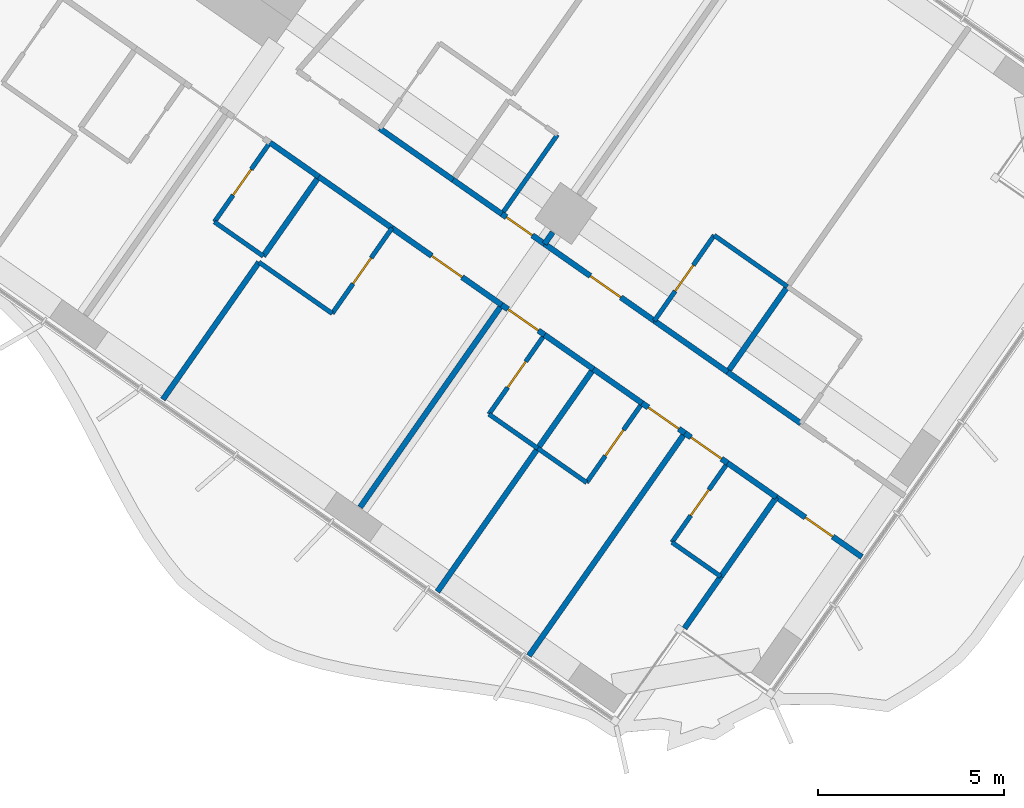
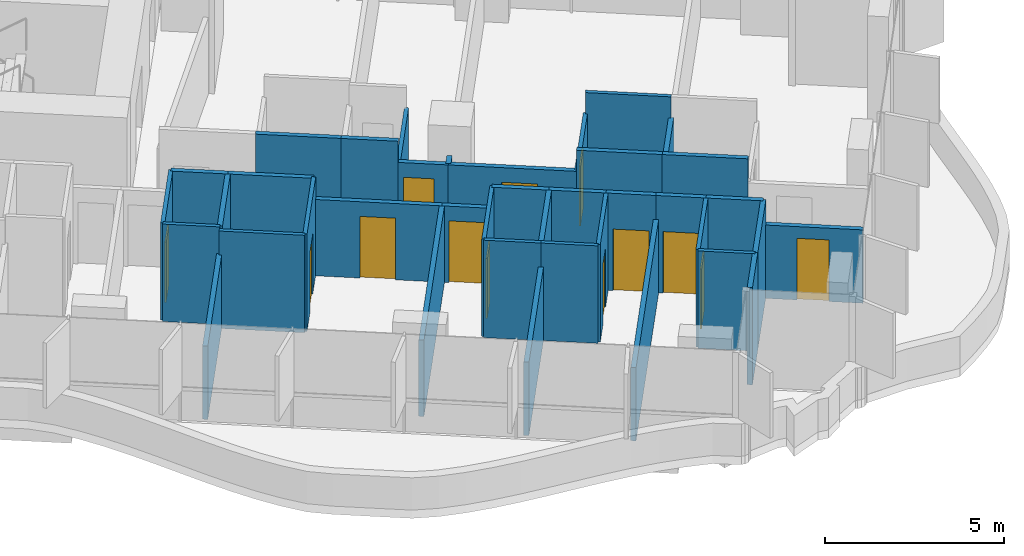
# One storey, part 17 of 25: 39 walls, 13 doors, 13 openings.
"""IFC4 building model written with IfcOpenShell, lengths in metres."""

from ifc_helpers import new_model, si_unit, direction, frame, frame_2d, origin, place, context, subcontext, project, spatial, rectangle, extrude, material, layer, layer_set, type_object, element, fill, save


model = new_model("IFC4")

# Units and contexts
model_context = context("Model", 3, precision=1e-05, world=origin(), true_north=direction((0.0, 1.0)))
body_context = subcontext(model_context, "Body", "Model", "MODEL_VIEW")
ifc_project = project(units=[si_unit("LENGTHUNIT", "METRE"), si_unit("AREAUNIT", "SQUARE_METRE"), si_unit("VOLUMEUNIT", "CUBIC_METRE"), si_unit("PLANEANGLEUNIT", "RADIAN"), si_unit("MASSUNIT", "GRAM", prefix="KILO")], contexts=[model_context])

# Site, building, storey
site_placement = place(None, origin())
site = spatial("IfcSite", under=ifc_project, at=site_placement, CompositionType="ELEMENT")
building_placement = place(site_placement, origin())
building = spatial("IfcBuilding", under=site, at=building_placement, Name="Tel Ilan Convention Tower", CompositionType="ELEMENT")
storey_placement = place(building_placement, frame((0.0, 0.0, 58.10009765625)))
storey = spatial("IfcBuildingStorey", under=building, at=storey_placement, Name="L09", CompositionType="ELEMENT", Elevation=58.10009765625)

# Wall
ifc_material_1 = material(Name="Plasterboard on Steel Studs", Category="steel")
ifc_layer_1 = layer(ifc_material_1, 0.14990234375)
ifc_layer_set_1 = layer_set([ifc_layer_1], Name="Fire-rated Partition 150 EI 60")
wall_type_1 = type_object("IfcWallType", Name="Fire-rated Partition 150 EI 60", PredefinedType="PARTITIONING", material=ifc_layer_set_1)
wall_1_placement = place(storey_placement, frame((24.49072265625, -18.369384765625, 0.0), z_axis=(0.0, 0.0, 1.0), x_axis=(0.819179439794, -0.573537309527, 0.0)))
element("IfcWall", 1, at=wall_1_placement, inside=storey, type_object=wall_type_1, Name="Partition 002", PredefinedType="PARTITIONING", context=body_context, shape_type="SweptSolid", body=[
    extrude(rectangle(XDim=2.404296875, YDim=0.14990234375, at=frame_2d((1.2021484375, 0.0))), origin(), (0.0, 0.0, 1.0), 3.31982421875),
])

# Wall, opening, door
wall_2_placement = place(storey_placement, frame((28.91748046875, -21.468994140625, 0.0), z_axis=(0.0, 0.0, 1.0), x_axis=(-0.81914197737, 0.573590813132, 0.0)))
wall_2 = element("IfcWall", 2, at=wall_2_placement, inside=storey, type_object=wall_type_1, Name="Partition 003", PredefinedType="PARTITIONING", context=body_context, shape_type="SweptSolid", body=[
    extrude(rectangle(XDim=1.40283203125, YDim=0.14990234375, at=frame_2d((0.701416015625, 0.0))), origin(), (0.0, 0.0, 1.0), 2.599853515625),
])
opening_1_placement = place(wall_2_placement, frame((0.403076171875, 0.0, 0.0)))
opening_1 = element("IfcOpeningElement", 3, at=opening_1_placement, cuts=wall_2, Name="Opening L08-046", PredefinedType="OPENING", context=body_context, shape_type="SweptSolid", body=[
    extrude(rectangle(XDim=0.85009765625, YDim=2.10009765625, at=frame_2d((0.425048828125, 1.050048828125))), frame((0.0, 0.0849609375, 0.0), z_axis=(0.0, -1.0, 0.0), x_axis=(1.0, 0.0, 0.0)), (0.0, 0.0, 1.0), 0.169921875),
])
ifc_material_2 = material(Name="Timber Door Leaf in Steel Frame", Category="steel")
door_type_1 = type_object("IfcDoorType", Name="Room Fire Door 850x2100", OperationType="NOTDEFINED", PredefinedType="DOOR", material=ifc_material_2)
door_1_placement = place(opening_1_placement, origin())
door_1 = element("IfcDoor", 4, at=door_1_placement, inside=storey, type_object=door_type_1, Name="Door L08-046", OperationType="SINGLE_SWING_RIGHT", OverallHeight=2.10009765625, OverallWidth=0.85009765625, PredefinedType="DOOR", context=body_context, shape_type="SweptSolid", body=[
    extrude(rectangle(XDim=0.85009765625, YDim=2.10009765625, at=frame_2d((0.425048828125, 1.050048828125))), frame((0.0, 0.02490234375, 0.0), z_axis=(0.0, -1.0, 0.0), x_axis=(1.0, 0.0, 0.0)), (0.0, 0.0, 1.0), 0.050048828125),
])
fill(opening_1, door_1)

# Wall
wall_3_placement = place(storey_placement, frame((26.456787109375, -19.74609375, 0.0), z_axis=(0.0, 0.0, 1.0), x_axis=(0.819189013667, -0.573523634986, 0.0)))
element("IfcWall", 5, at=wall_3_placement, inside=storey, type_object=wall_type_1, Name="Partition 004", PredefinedType="PARTITIONING", context=body_context, shape_type="SweptSolid", body=[
    extrude(rectangle(XDim=1.60400390625, YDim=0.14990234375, at=frame_2d((0.802001953125, 0.0))), origin(), (0.0, 0.0, 1.0), 3.31982421875),
])

# Wall, opening, door
wall_4_placement = place(storey_placement, frame((28.914306640625, -21.466796875, 0.0), z_axis=(0.0, 0.0, 1.0), x_axis=(0.819145961204, -0.573585123798, 0.0)))
wall_4 = element("IfcWall", 6, at=wall_4_placement, inside=storey, type_object=wall_type_1, Name="Partition 005", PredefinedType="PARTITIONING", context=body_context, shape_type="SweptSolid", body=[
    extrude(rectangle(XDim=3.60302734375, YDim=0.14990234375, at=frame_2d((1.801513671875, 0.0))), origin(), (0.0, 0.0, 1.0), 2.599853515625),
])
opening_2_placement = place(wall_4_placement, frame((1.501953125, 0.0, 0.0)))
opening_2 = element("IfcOpeningElement", 7, at=opening_2_placement, cuts=wall_4, Name="Opening L08-048", PredefinedType="OPENING", context=body_context, shape_type="SweptSolid", body=[
    extrude(rectangle(XDim=1.0, YDim=2.10009765625, at=frame_2d((0.5, 1.050048828125))), frame((0.0, 0.0849609375, 0.0), z_axis=(0.0, -1.0, 0.0), x_axis=(1.0, 0.0, 0.0)), (0.0, 0.0, 1.0), 0.169921875),
])
ifc_material_3 = material(Name="Timber Door Leaf in Steel Frame", Category="steel")
door_type_2 = type_object("IfcDoorType", Name="Hotel Room Entrance Fire Door 1000x2100", OperationType="NOTDEFINED", PredefinedType="DOOR", material=ifc_material_3)
door_2_placement = place(opening_2_placement, origin())
door_2 = element("IfcDoor", 8, at=door_2_placement, inside=storey, type_object=door_type_2, Name="Door L08-048", OperationType="SINGLE_SWING_RIGHT", OverallHeight=2.10009765625, OverallWidth=1.0, PredefinedType="DOOR", context=body_context, shape_type="SweptSolid", body=[
    extrude(rectangle(XDim=1.0, YDim=2.10009765625, at=frame_2d((0.5, 1.050048828125))), frame((0.0, 0.02490234375, 0.0), z_axis=(0.0, -1.0, 0.0), x_axis=(1.0, 0.0, 0.0)), (0.0, 0.0, 1.0), 0.050048828125),
])
fill(opening_2, door_2)

# Walls
for number, where, z_axis, x_axis, name in (
    (9, (31.86328125, -23.531494140625, 0.0), (0.0, 0.0, 1.0), (0.819146032251, -0.573585022335, 0.0), "Partition 006"),
    (10, (33.8291015625, -24.908203125, 0.0), (0.0, 0.0, 1.0), (0.819146032251, -0.573585022335, 0.0), "Partition 008"),
):
    element("IfcWall", number, at=place(storey_placement, frame(where, z_axis=z_axis, x_axis=x_axis)), inside=storey, type_object=wall_type_1, Name=name, PredefinedType="PARTITIONING", context=body_context, shape_type="SweptSolid", body=[
        extrude(rectangle(XDim=2.404052734375, YDim=0.14990234375, at=frame_2d((1.2021484375, 0.0))), origin(), (0.0, 0.0, 1.0), 3.31982421875),
    ])

# Wall, opening, door
wall_5_placement = place(storey_placement, frame((37.434814453125, -29.87451171875, 0.0), z_axis=(0.0, 0.0, 1.0), x_axis=(-0.819125488359, 0.573614360281, 0.0)))
wall_5 = element("IfcWall", 11, at=wall_5_placement, inside=storey, type_object=wall_type_1, Name="Partition 010", PredefinedType="PARTITIONING", context=body_context, shape_type="SweptSolid", body=[
    extrude(rectangle(XDim=2.80224609375, YDim=0.14990234375, at=frame_2d((1.401123046875, 0.0))), origin(), (0.0, 0.0, 1.0), 2.5),
])
opening_3_placement = place(wall_5_placement, frame((0.950927734375, 0.0, 0.0)))
opening_3 = element("IfcOpeningElement", 12, at=opening_3_placement, cuts=wall_5, Name="Opening L08-042", PredefinedType="OPENING", context=body_context, shape_type="SweptSolid", body=[
    extrude(rectangle(XDim=0.89990234375, YDim=2.10009765625, at=frame_2d((0.449951171875, 1.050048828125))), frame((0.0, 0.0849609375, 0.0), z_axis=(0.0, -1.0, 0.0), x_axis=(1.0, 0.0, 0.0)), (0.0, 0.0, 1.0), 0.169921875),
])
ifc_material_4 = material(Name="Timber Door Leaf in Steel Frame", Category="steel")
door_type_3 = type_object("IfcDoorType", Name="Room Fire Door 900x2100", OperationType="NOTDEFINED", PredefinedType="DOOR", material=ifc_material_4)
door_3_placement = place(opening_3_placement, origin())
door_3 = element("IfcDoor", 13, at=door_3_placement, inside=storey, type_object=door_type_3, Name="Door L08-042", OperationType="SINGLE_SWING_RIGHT", OverallHeight=2.10009765625, OverallWidth=0.89990234375, PredefinedType="DOOR", context=body_context, shape_type="SweptSolid", body=[
    extrude(rectangle(XDim=0.89990234375, YDim=2.10009765625, at=frame_2d((0.449951171875, 1.050048828125))), frame((0.0, 0.02490234375, 0.0), z_axis=(0.0, -1.0, 0.0), x_axis=(1.0, 0.0, 0.0)), (0.0, 0.0, 1.0), 0.050048828125),
])
fill(opening_3, door_3)

# Wall
wall_6_placement = place(storey_placement, frame((22.85546875, -19.666015625, 0.0), z_axis=(0.0, 0.0, 1.0), x_axis=(-0.819117502046, 0.573625764625, 0.0)))
element("IfcWall", 14, at=wall_6_placement, inside=storey, type_object=wall_type_1, Name="Partition 019", PredefinedType="PARTITIONING", context=body_context, shape_type="SweptSolid", body=[
    extrude(rectangle(XDim=1.60400390625, YDim=0.14990234375, at=frame_2d((0.802001953125, 0.0))), origin(), (0.0, 0.0, 1.0), 3.31982421875),
])

# Wall, opening, door
wall_7_placement = place(storey_placement, frame((27.7705078125, -23.107421875, 0.0), z_axis=(0.0, 0.0, 1.0), x_axis=(-0.819145961204, 0.573585123798, 0.0)))
wall_7 = element("IfcWall", 15, at=wall_7_placement, inside=storey, type_object=wall_type_1, Name="Partition 020", PredefinedType="PARTITIONING", context=body_context, shape_type="SweptSolid", body=[
    extrude(rectangle(XDim=3.60302734375, YDim=0.14990234375, at=frame_2d((1.801513671875, 0.0))), origin(), (0.0, 0.0, 1.0), 2.599853515625),
])
opening_4_placement = place(wall_7_placement, frame((1.302001953125, 0.0, 0.0)))
opening_4 = element("IfcOpeningElement", 16, at=opening_4_placement, cuts=wall_7, Name="Opening L08-035", PredefinedType="OPENING", context=body_context, shape_type="SweptSolid", body=[
    extrude(rectangle(XDim=1.0, YDim=2.10009765625, at=frame_2d((0.5, 1.050048828125))), frame((0.0, 0.0849609375, 0.0), z_axis=(0.0, -1.0, 0.0), x_axis=(1.0, 0.0, 0.0)), (0.0, 0.0, 1.0), 0.169921875),
])
door_4_placement = place(opening_4_placement, origin())
door_4 = element("IfcDoor", 17, at=door_4_placement, inside=storey, type_object=door_type_2, Name="Door L08-035", OperationType="SINGLE_SWING_LEFT", OverallHeight=2.10009765625, OverallWidth=1.0, PredefinedType="DOOR", context=body_context, shape_type="SweptSolid", body=[
    extrude(rectangle(XDim=1.0, YDim=2.10009765625, at=frame_2d((0.5, 1.050048828125))), frame((0.0, 0.02490234375, 0.0), z_axis=(0.0, -1.0, 0.0), x_axis=(1.0, 0.0, 0.0)), (0.0, 0.0, 1.0), 0.050048828125),
])
fill(opening_4, door_4)

# Wall
wall_8_placement = place(storey_placement, frame((24.8212890625, -21.04248046875, 0.0), z_axis=(0.0, 0.0, 1.0), x_axis=(-0.81911261637, 0.573632741136, 0.0)))
element("IfcWall", 18, at=wall_8_placement, inside=storey, type_object=wall_type_1, Name="Partition 021", PredefinedType="PARTITIONING", context=body_context, shape_type="SweptSolid", body=[
    extrude(rectangle(XDim=2.40380859375, YDim=0.14990234375, at=frame_2d((1.201904296875, 0.0))), origin(), (0.0, 0.0, 1.0), 3.31982421875),
])

# Wall, opening, door
wall_9_placement = place(storey_placement, frame((28.91650390625, -23.909912109375, 0.0), z_axis=(0.0, 0.0, 1.0), x_axis=(-0.819117471667, 0.573625808005, 0.0)))
wall_9 = element("IfcWall", 19, at=wall_9_placement, inside=storey, type_object=wall_type_1, Name="Partition 022", PredefinedType="PARTITIONING", context=body_context, shape_type="SweptSolid", body=[
    extrude(rectangle(XDim=1.4033203125, YDim=0.14990234375, at=frame_2d((0.70166015625, 0.0))), origin(), (0.0, 0.0, 1.0), 2.599853515625),
])
opening_5_placement = place(wall_9_placement, frame((0.200927734375, 0.0, 0.0)))
opening_5 = element("IfcOpeningElement", 20, at=opening_5_placement, cuts=wall_9, Name="Opening L08-037", PredefinedType="OPENING", context=body_context, shape_type="SweptSolid", body=[
    extrude(rectangle(XDim=1.0, YDim=2.10009765625, at=frame_2d((0.5, 1.050048828125))), frame((0.0, 0.0849609375, 0.0), z_axis=(0.0, -1.0, 0.0), x_axis=(1.0, 0.0, 0.0)), (0.0, 0.0, 1.0), 0.169921875),
])
door_5_placement = place(opening_5_placement, origin())
door_5 = element("IfcDoor", 21, at=door_5_placement, inside=storey, type_object=door_type_2, Name="Door L08-037", OperationType="SINGLE_SWING_RIGHT", OverallHeight=2.10009765625, OverallWidth=1.0, PredefinedType="DOOR", context=body_context, shape_type="SweptSolid", body=[
    extrude(rectangle(XDim=1.0, YDim=2.10009765625, at=frame_2d((0.5, 1.050048828125))), frame((0.0, 0.02490234375, 0.0), z_axis=(0.0, -1.0, 0.0), x_axis=(1.0, 0.0, 0.0)), (0.0, 0.0, 1.0), 0.050048828125),
])
fill(opening_5, door_5)

# Wall
wall_10_placement = place(storey_placement, frame((30.227783203125, -24.828125, 0.0), z_axis=(0.0, 0.0, 1.0), x_axis=(-0.819189013667, 0.573523634986, 0.0)))
element("IfcWall", 22, at=wall_10_placement, inside=storey, type_object=wall_type_1, Name="Partition 023", PredefinedType="PARTITIONING", context=body_context, shape_type="SweptSolid", body=[
    extrude(rectangle(XDim=1.60400390625, YDim=0.14990234375, at=frame_2d((0.802001953125, 0.0))), origin(), (0.0, 0.0, 1.0), 3.31982421875),
])

# Wall, opening, door
wall_11_placement = place(storey_placement, frame((32.685302734375, -26.548828125, 0.0), z_axis=(0.0, 0.0, 1.0), x_axis=(-0.819199220913, 0.573509055252, 0.0)))
wall_11 = element("IfcWall", 23, at=wall_11_placement, inside=storey, type_object=wall_type_1, Name="Partition 024", PredefinedType="PARTITIONING", context=body_context, shape_type="SweptSolid", body=[
    extrude(rectangle(XDim=1.403076171875, YDim=0.14990234375, at=frame_2d((0.70166015625, 0.0))), origin(), (0.0, 0.0, 1.0), 3.31982421875),
])
opening_6_placement = place(wall_11_placement, frame((0.201904296875, 0.0, 0.0)))
opening_6 = element("IfcOpeningElement", 24, at=opening_6_placement, cuts=wall_11, Name="Opening L08-039", PredefinedType="OPENING", context=body_context, shape_type="SweptSolid", body=[
    extrude(rectangle(XDim=1.0, YDim=2.10009765625, at=frame_2d((0.5, 1.050048828125))), frame((0.0, 0.0849609375, 0.0), z_axis=(0.0, -1.0, 0.0), x_axis=(1.0, 0.0, 0.0)), (0.0, 0.0, 1.0), 0.169921875),
])
door_6_placement = place(opening_6_placement, origin())
door_6 = element("IfcDoor", 25, at=door_6_placement, inside=storey, type_object=door_type_2, Name="Door L08-039", OperationType="SINGLE_SWING_RIGHT", OverallHeight=2.10009765625, OverallWidth=1.0, PredefinedType="DOOR", context=body_context, shape_type="SweptSolid", body=[
    extrude(rectangle(XDim=1.0, YDim=2.10009765625, at=frame_2d((0.5, 1.050048828125))), frame((0.0, 0.02490234375, 0.0), z_axis=(0.0, -1.0, 0.0), x_axis=(1.0, 0.0, 0.0)), (0.0, 0.0, 1.0), 0.050048828125),
])
fill(opening_6, door_6)

# Wall
wall_12_placement = place(storey_placement, frame((31.53857421875, -25.745849609375, 0.0), z_axis=(0.0, 0.0, 1.0), x_axis=(-0.819117502046, 0.573625764625, 0.0)))
element("IfcWall", 26, at=wall_12_placement, inside=storey, type_object=wall_type_1, Name="Partition 025", PredefinedType="PARTITIONING", context=body_context, shape_type="SweptSolid", body=[
    extrude(rectangle(XDim=1.60400390625, YDim=0.14990234375, at=frame_2d((0.802001953125, 0.0))), origin(), (0.0, 0.0, 1.0), 3.31982421875),
])

# Wall, opening, door
wall_13_placement = place(storey_placement, frame((33.831298828125, -27.351318359375, 0.0), z_axis=(0.0, 0.0, 1.0), x_axis=(-0.819117471667, 0.573625808005, 0.0)))
wall_13 = element("IfcWall", 27, at=wall_13_placement, inside=storey, type_object=wall_type_1, Name="Partition 026", PredefinedType="PARTITIONING", context=body_context, shape_type="SweptSolid", body=[
    extrude(rectangle(XDim=1.4033203125, YDim=0.14990234375, at=frame_2d((0.70166015625, 0.0))), origin(), (0.0, 0.0, 1.0), 3.31982421875),
])
opening_7_placement = place(wall_13_placement, frame((0.200927734375, 0.0, 0.0)))
opening_7 = element("IfcOpeningElement", 28, at=opening_7_placement, cuts=wall_13, Name="Opening L08-041", PredefinedType="OPENING", context=body_context, shape_type="SweptSolid", body=[
    extrude(rectangle(XDim=1.0, YDim=2.10009765625, at=frame_2d((0.5, 1.050048828125))), frame((0.0, 0.0849609375, 0.0), z_axis=(0.0, -1.0, 0.0), x_axis=(1.0, 0.0, 0.0)), (0.0, 0.0, 1.0), 0.169921875),
])
door_7_placement = place(opening_7_placement, origin())
door_7 = element("IfcDoor", 29, at=door_7_placement, inside=storey, type_object=door_type_2, Name="Door L08-041", OperationType="SINGLE_SWING_RIGHT", OverallHeight=2.10009765625, OverallWidth=1.0, PredefinedType="DOOR", context=body_context, shape_type="SweptSolid", body=[
    extrude(rectangle(XDim=1.0, YDim=2.10009765625, at=frame_2d((0.5, 1.050048828125))), frame((0.0, 0.02490234375, 0.0), z_axis=(0.0, -1.0, 0.0), x_axis=(1.0, 0.0, 0.0)), (0.0, 0.0, 1.0), 0.050048828125),
])
fill(opening_7, door_7)

# Walls
wall_14_placement = place(storey_placement, frame((35.142822265625, -28.26953125, 0.0), z_axis=(0.0, 0.0, 1.0), x_axis=(-0.819189013667, 0.573523634986, 0.0)))
element("IfcWall", 30, at=wall_14_placement, inside=storey, type_object=wall_type_1, Name="Partition 027", PredefinedType="PARTITIONING", context=body_context, shape_type="SweptSolid", body=[
    extrude(rectangle(XDim=1.60400390625, YDim=0.14990234375, at=frame_2d((0.802001953125, 0.0))), origin(), (0.0, 0.0, 1.0), 3.31982421875),
])
wall_15_placement = place(storey_placement, frame((29.1337890625, -21.156494140625, 0.0), z_axis=(0.0, 0.0, 1.0), x_axis=(-0.572944929411, -0.819593867633, 0.0)))
element("IfcWall", 31, at=wall_15_placement, inside=storey, type_object=wall_type_1, Name="Partition 061", PredefinedType="PARTITIONING", context=body_context, shape_type="SweptSolid", body=[
    extrude(rectangle(XDim=0.380126953125, YDim=0.14990234375, at=frame_2d((0.18994140625, 0.0))), origin(), (0.0, 0.0, 1.0), 2.599853515625),
])
wall_16_placement = place(storey_placement, frame((35.436767578125, -22.61572265625, 0.0), z_axis=(0.0, 0.0, 1.0), x_axis=(-0.573550118428, -0.819170471667, 0.0)))
element("IfcWall", 32, at=wall_16_placement, inside=storey, type_object=wall_type_1, Name="Partition 065", PredefinedType="PARTITIONING", context=body_context, shape_type="SweptSolid", body=[
    extrude(rectangle(XDim=2.800048828125, YDim=0.14990234375, at=frame_2d((1.39990234375, 0.0))), origin(), (0.0, 0.0, 1.0), 2.599853515625),
])
wall_17_placement = place(storey_placement, frame((33.650390625, -30.3974609375, 0.0), z_axis=(0.0, 0.0, 1.0), x_axis=(-0.573568305454, -0.819157737544, 0.0)))
element("IfcWall", 33, at=wall_17_placement, inside=storey, type_object=wall_type_1, Name="Partition 072", PredefinedType="PARTITIONING", context=body_context, shape_type="SweptSolid", body=[
    extrude(rectangle(XDim=1.700927734375, YDim=0.14990234375, at=frame_2d((0.8505859375, 0.0))), origin(), (0.0, 0.0, 1.0), 3.31982421875),
])
wall_18_placement = place(storey_placement, frame((33.648681640625, -30.39990234375, 0.0), z_axis=(0.0, 0.0, 1.0), x_axis=(0.573544201094, 0.819174614714, 0.0)))
element("IfcWall", 34, at=wall_18_placement, inside=storey, type_object=wall_type_1, Name="Partition 073", PredefinedType="PARTITIONING", context=body_context, shape_type="SweptSolid", body=[
    extrude(rectangle(XDim=2.60205078125, YDim=0.14990234375, at=frame_2d((1.301025390625, 0.0))), origin(), (0.0, 0.0, 1.0), 3.31982421875),
])
wall_19_placement = place(storey_placement, frame((21.248291015625, -21.95751953125, 0.0), z_axis=(0.0, 0.0, 1.0), x_axis=(-0.573556991349, -0.819165659482, 0.0)))
element("IfcWall", 35, at=wall_19_placement, inside=storey, type_object=wall_type_1, Name="Partition 087", PredefinedType="PARTITIONING", context=body_context, shape_type="SweptSolid", body=[
    extrude(rectangle(XDim=4.5009765625, YDim=0.14990234375, at=frame_2d((2.25048828125, 0.0))), origin(), (0.0, 0.0, 1.0), 2.5),
])
wall_20_placement = place(storey_placement, frame((22.853759765625, -19.664794921875, 0.0), z_axis=(0.0, 0.0, 1.0), x_axis=(-0.573582085028, -0.819148089014, 0.0)))
element("IfcWall", 36, at=wall_20_placement, inside=storey, type_object=wall_type_1, Name="Partition 088", PredefinedType="PARTITIONING", context=body_context, shape_type="SweptSolid", body=[
    extrude(rectangle(XDim=2.599853515625, YDim=0.14990234375, at=frame_2d((1.2998046875, 0.0))), origin(), (0.0, 0.0, 1.0), 3.31982421875),
])
wall_21_placement = place(storey_placement, frame((27.768798828125, -23.106201171875, 0.0), z_axis=(0.0, 0.0, 1.0), x_axis=(-0.57359826181, -0.819136761505, 0.0)))
element("IfcWall", 37, at=wall_21_placement, inside=storey, type_object=wall_type_1, Name="Partition 091", PredefinedType="PARTITIONING", context=body_context, shape_type="SweptSolid", body=[
    extrude(rectangle(XDim=6.630126953125, YDim=0.14990234375, at=frame_2d((3.31494140625, 0.0))), origin(), (0.0, 0.0, 1.0), 2.599853515625),
])
wall_22_placement = place(storey_placement, frame((28.734375, -26.95751953125, 0.0), z_axis=(0.0, 0.0, 1.0), x_axis=(-0.573594842236, -0.819139156041, 0.0)))
element("IfcWall", 38, at=wall_22_placement, inside=storey, type_object=wall_type_1, Name="Partition 094", PredefinedType="PARTITIONING", context=body_context, shape_type="SweptSolid", body=[
    extrude(rectangle(XDim=4.698974609375, YDim=0.14990234375, at=frame_2d((2.349609375, 0.0))), origin(), (0.0, 0.0, 1.0), 2.5),
])
wall_23_placement = place(storey_placement, frame((30.226318359375, -24.826904296875, 0.0), z_axis=(0.0, 0.0, 1.0), x_axis=(-0.573600972199, -0.819134863556, 0.0)))
element("IfcWall", 39, at=wall_23_placement, inside=storey, type_object=wall_type_1, Name="Partition 095", PredefinedType="PARTITIONING", context=body_context, shape_type="SweptSolid", body=[
    extrude(rectangle(XDim=2.60009765625, YDim=0.14990234375, at=frame_2d((1.300048828125, 0.0))), origin(), (0.0, 0.0, 1.0), 3.31982421875),
])
wall_24_placement = place(storey_placement, frame((32.68359375, -26.547607421875, 0.0), z_axis=(0.0, 0.0, 1.0), x_axis=(-0.573556610931, -0.81916592584, 0.0)))
element("IfcWall", 40, at=wall_24_placement, inside=storey, type_object=wall_type_1, Name="Partition 098", PredefinedType="PARTITIONING", context=body_context, shape_type="SweptSolid", body=[
    extrude(rectangle(XDim=7.300048828125, YDim=0.14990234375, at=frame_2d((3.64990234375, 0.0))), origin(), (0.0, 0.0, 1.0), 2.5),
])
ifc_material_5 = material(Name="Plasterboard on Steel Studs", Category="steel")
ifc_layer_2 = layer(ifc_material_5, 0.1201171875)
ifc_layer_set_2 = layer_set([ifc_layer_2], Name="Moisture-resistant Partition 120")
wall_type_2 = type_object("IfcWallType", Name="Moisture-resistant Partition 120", PredefinedType="PARTITIONING", material=ifc_layer_set_2)
wall_25_placement = place(storey_placement, frame((27.77001953125, -20.66552734375, 0.0), z_axis=(0.0, 0.0, 1.0), x_axis=(0.573537965655, 0.819178980414, 0.0)))
element("IfcWall", 41, at=wall_25_placement, inside=storey, type_object=wall_type_2, Name="Partition 058", PredefinedType="PARTITIONING", context=body_context, shape_type="SweptSolid", body=[
    extrude(rectangle(XDim=2.60009765625, YDim=0.1201171875, at=frame_2d((1.300048828125, 0.0))), origin(), (0.0, 0.0, 1.0), 2.599853515625),
])
wall_26_placement = place(storey_placement, frame((35.4375, -22.614990234375, 0.0), z_axis=(0.0, 0.0, 1.0), x_axis=(-0.819141114317, 0.573592045652, 0.0)))
element("IfcWall", 42, at=wall_26_placement, inside=storey, type_object=wall_type_2, Name="Partition 062", PredefinedType="PARTITIONING", context=body_context, shape_type="SweptSolid", body=[
    extrude(rectangle(XDim=2.400146484375, YDim=0.1201171875, at=frame_2d((1.2001953125, 0.0))), origin(), (0.0, 0.0, 1.0), 3.31982421875),
])

# Wall, opening, door
wall_27_placement = place(storey_placement, frame((33.469970703125, -21.238525390625, 0.0), z_axis=(0.0, 0.0, 1.0), x_axis=(-0.573550118428, -0.819170471667, 0.0)))
wall_27 = element("IfcWall", 43, at=wall_27_placement, inside=storey, type_object=wall_type_2, Name="Partition 063", PredefinedType="PARTITIONING", context=body_context, shape_type="SweptSolid", body=[
    extrude(rectangle(XDim=2.800048828125, YDim=0.1201171875, at=frame_2d((1.39990234375, 0.0))), origin(), (0.0, 0.0, 1.0), 2.599853515625),
])
opening_8_placement = place(wall_27_placement, frame((0.97509765625, 0.0, 0.0)))
opening_8 = element("IfcOpeningElement", 44, at=opening_8_placement, cuts=wall_27, Name="Opening L08-047", PredefinedType="OPENING", context=body_context, shape_type="SweptSolid", body=[
    extrude(rectangle(XDim=0.85009765625, YDim=2.050048828125, at=frame_2d((0.425048828125, 1.02490234375))), frame((0.0, 0.070068359375, 0.0), z_axis=(0.0, -1.0, 0.0), x_axis=(1.0, 0.0, 0.0)), (0.0, 0.0, 1.0), 0.14013671875),
])
ifc_material_6 = material(Name="Timber Door Leaf in Steel Frame", Category="steel")
door_type_4 = type_object("IfcDoorType", Name="Bathroom Timber Door 850x2050", OperationType="NOTDEFINED", PredefinedType="DOOR", material=ifc_material_6)
door_8_placement = place(opening_8_placement, origin())
door_8 = element("IfcDoor", 45, at=door_8_placement, inside=storey, type_object=door_type_4, Name="Door L08-047", OperationType="SINGLE_SWING_LEFT", OverallHeight=2.050048828125, OverallWidth=0.85009765625, PredefinedType="DOOR", context=body_context, shape_type="SweptSolid", body=[
    extrude(rectangle(XDim=0.85009765625, YDim=2.050048828125, at=frame_2d((0.425048828125, 1.02490234375))), frame((0.0, 0.02490234375, 0.0), z_axis=(0.0, -1.0, 0.0), x_axis=(1.0, 0.0, 0.0)), (0.0, 0.0, 1.0), 0.050048828125),
])
fill(opening_8, door_8)

wall_28_placement = place(storey_placement, frame((21.54248046875, -18.74658203125, 0.0), z_axis=(0.0, 0.0, 1.0), x_axis=(-0.573645091666, -0.819103967032, 0.0)))
wall_28 = element("IfcWall", 46, at=wall_28_placement, inside=storey, type_object=wall_type_2, Name="Partition 085", PredefinedType="PARTITIONING", context=body_context, shape_type="SweptSolid", body=[
    extrude(rectangle(XDim=2.599853515625, YDim=0.1201171875, at=frame_2d((1.2998046875, 0.0))), origin(), (0.0, 0.0, 1.0), 3.31982421875),
])
opening_9_placement = place(wall_28_placement, frame((0.875, 0.0, 0.0)))
opening_9 = element("IfcOpeningElement", 47, at=opening_9_placement, cuts=wall_28, Name="Opening L08-032", PredefinedType="OPENING", context=body_context, shape_type="SweptSolid", body=[
    extrude(rectangle(XDim=0.85009765625, YDim=2.050048828125, at=frame_2d((0.425048828125, 1.02490234375))), frame((0.0, 0.070068359375, 0.0), z_axis=(0.0, -1.0, 0.0), x_axis=(1.0, 0.0, 0.0)), (0.0, 0.0, 1.0), 0.14013671875),
])
door_9_placement = place(opening_9_placement, origin())
door_9 = element("IfcDoor", 48, at=door_9_placement, inside=storey, type_object=door_type_4, Name="Door L08-032", OperationType="SINGLE_SWING_LEFT", OverallHeight=2.050048828125, OverallWidth=0.85009765625, PredefinedType="DOOR", context=body_context, shape_type="SweptSolid", body=[
    extrude(rectangle(XDim=0.85009765625, YDim=2.050048828125, at=frame_2d((0.425048828125, 1.02490234375))), frame((0.0, 0.02490234375, 0.0), z_axis=(0.0, -1.0, 0.0), x_axis=(1.0, 0.0, 0.0)), (0.0, 0.0, 1.0), 0.050048828125),
])
fill(opening_9, door_9)

# Walls
wall_29_placement = place(storey_placement, frame((20.05126953125, -20.877685546875, 0.0), z_axis=(0.0, 0.0, 1.0), x_axis=(0.81918174131, -0.573534022273, 0.0)))
element("IfcWall", 49, at=wall_29_placement, inside=storey, type_object=wall_type_2, Name="Partition 086", PredefinedType="PARTITIONING", context=body_context, shape_type="SweptSolid", body=[
    extrude(rectangle(XDim=1.60009765625, YDim=0.1201171875, at=frame_2d((0.800048828125, 0.0))), origin(), (0.0, 0.0, 1.0), 3.31982421875),
])
wall_30_placement = place(storey_placement, frame((21.247314453125, -21.959228515625, 0.0), z_axis=(0.0, 0.0, 1.0), x_axis=(0.819155442668, -0.573571582932, 0.0)))
element("IfcWall", 50, at=wall_30_placement, inside=storey, type_object=wall_type_2, Name="Partition 089", PredefinedType="PARTITIONING", context=body_context, shape_type="SweptSolid", body=[
    extrude(rectangle(XDim=2.39990234375, YDim=0.1201171875, at=frame_2d((1.199951171875, 0.0))), origin(), (0.0, 0.0, 1.0), 3.31982421875),
])

# Wall, opening, door
wall_31_placement = place(storey_placement, frame((23.214599609375, -23.33544921875, 0.0), z_axis=(0.0, 0.0, 1.0), x_axis=(0.573591086599, 0.819141785879, 0.0)))
wall_31 = element("IfcWall", 51, at=wall_31_placement, inside=storey, type_object=wall_type_2, Name="Partition 090", PredefinedType="PARTITIONING", context=body_context, shape_type="SweptSolid", body=[
    extrude(rectangle(XDim=2.7998046875, YDim=0.1201171875, at=frame_2d((1.39990234375, 0.0))), origin(), (0.0, 0.0, 1.0), 3.31982421875),
])
opening_10_placement = place(wall_31_placement, frame((0.97509765625, 0.0, 0.0)))
opening_10 = element("IfcOpeningElement", 52, at=opening_10_placement, cuts=wall_31, Name="Opening L08-034", PredefinedType="OPENING", context=body_context, shape_type="SweptSolid", body=[
    extrude(rectangle(XDim=0.85009765625, YDim=2.050048828125, at=frame_2d((0.425048828125, 1.02490234375))), frame((0.0, 0.070068359375, 0.0), z_axis=(0.0, -1.0, 0.0), x_axis=(1.0, 0.0, 0.0)), (0.0, 0.0, 1.0), 0.14013671875),
])
door_10_placement = place(opening_10_placement, origin())
door_10 = element("IfcDoor", 53, at=door_10_placement, inside=storey, type_object=door_type_4, Name="Door L08-034", OperationType="SINGLE_SWING_RIGHT", OverallHeight=2.050048828125, OverallWidth=0.85009765625, PredefinedType="DOOR", context=body_context, shape_type="SweptSolid", body=[
    extrude(rectangle(XDim=0.85009765625, YDim=2.050048828125, at=frame_2d((0.425048828125, 1.02490234375))), frame((0.0, 0.02490234375, 0.0), z_axis=(0.0, -1.0, 0.0), x_axis=(1.0, 0.0, 0.0)), (0.0, 0.0, 1.0), 0.050048828125),
])
fill(opening_10, door_10)

wall_32_placement = place(storey_placement, frame((28.914794921875, -23.90869140625, 0.0), z_axis=(0.0, 0.0, 1.0), x_axis=(-0.573645091666, -0.819103967032, 0.0)))
wall_32 = element("IfcWall", 54, at=wall_32_placement, inside=storey, type_object=wall_type_2, Name="Partition 092", PredefinedType="PARTITIONING", context=body_context, shape_type="SweptSolid", body=[
    extrude(rectangle(XDim=2.599853515625, YDim=0.1201171875, at=frame_2d((1.2998046875, 0.0))), origin(), (0.0, 0.0, 1.0), 3.31982421875),
])
opening_11_placement = place(wall_32_placement, frame((0.875, 0.0, 0.0)))
opening_11 = element("IfcOpeningElement", 55, at=opening_11_placement, cuts=wall_32, Name="Opening L08-036", PredefinedType="OPENING", context=body_context, shape_type="SweptSolid", body=[
    extrude(rectangle(XDim=0.85009765625, YDim=2.050048828125, at=frame_2d((0.425048828125, 1.02490234375))), frame((0.0, 0.070068359375, 0.0), z_axis=(0.0, -1.0, 0.0), x_axis=(1.0, 0.0, 0.0)), (0.0, 0.0, 1.0), 0.14013671875),
])
door_11_placement = place(opening_11_placement, origin())
door_11 = element("IfcDoor", 56, at=door_11_placement, inside=storey, type_object=door_type_4, Name="Door L08-036", OperationType="SINGLE_SWING_LEFT", OverallHeight=2.050048828125, OverallWidth=0.85009765625, PredefinedType="DOOR", context=body_context, shape_type="SweptSolid", body=[
    extrude(rectangle(XDim=0.85009765625, YDim=2.050048828125, at=frame_2d((0.425048828125, 1.02490234375))), frame((0.0, 0.02490234375, 0.0), z_axis=(0.0, -1.0, 0.0), x_axis=(1.0, 0.0, 0.0)), (0.0, 0.0, 1.0), 0.050048828125),
])
fill(opening_11, door_11)

# Walls
wall_33_placement = place(storey_placement, frame((27.423583984375, -26.039794921875, 0.0), z_axis=(0.0, 0.0, 1.0), x_axis=(0.81918174131, -0.573534022273, 0.0)))
element("IfcWall", 57, at=wall_33_placement, inside=storey, type_object=wall_type_2, Name="Partition 093", PredefinedType="PARTITIONING", context=body_context, shape_type="SweptSolid", body=[
    extrude(rectangle(XDim=1.60009765625, YDim=0.1201171875, at=frame_2d((0.800048828125, 0.0))), origin(), (0.0, 0.0, 1.0), 3.31982421875),
])
wall_34_placement = place(storey_placement, frame((28.734375, -26.95751953125, 0.0), z_axis=(0.0, 0.0, 1.0), x_axis=(0.819131543282, -0.57360571371, 0.0)))
element("IfcWall", 58, at=wall_34_placement, inside=storey, type_object=wall_type_2, Name="Partition 096", PredefinedType="PARTITIONING", context=body_context, shape_type="SweptSolid", body=[
    extrude(rectangle(XDim=1.599853515625, YDim=0.1201171875, at=frame_2d((0.7998046875, 0.0))), origin(), (0.0, 0.0, 1.0), 3.31982421875),
])

# Wall, opening, door
wall_35_placement = place(storey_placement, frame((30.04638671875, -27.875, 0.0), z_axis=(0.0, 0.0, 1.0), x_axis=(0.573537965655, 0.819178980414, 0.0)))
wall_35 = element("IfcWall", 59, at=wall_35_placement, inside=storey, type_object=wall_type_2, Name="Partition 097", PredefinedType="PARTITIONING", context=body_context, shape_type="SweptSolid", body=[
    extrude(rectangle(XDim=2.60009765625, YDim=0.1201171875, at=frame_2d((1.300048828125, 0.0))), origin(), (0.0, 0.0, 1.0), 3.31982421875),
])
opening_12_placement = place(wall_35_placement, frame((0.875, 0.0, 0.0)))
opening_12 = element("IfcOpeningElement", 60, at=opening_12_placement, cuts=wall_35, Name="Opening L08-038", PredefinedType="OPENING", context=body_context, shape_type="SweptSolid", body=[
    extrude(rectangle(XDim=0.85009765625, YDim=2.050048828125, at=frame_2d((0.425048828125, 1.02490234375))), frame((0.0, 0.070068359375, 0.0), z_axis=(0.0, -1.0, 0.0), x_axis=(1.0, 0.0, 0.0)), (0.0, 0.0, 1.0), 0.14013671875),
])
door_12_placement = place(opening_12_placement, origin())
door_12 = element("IfcDoor", 61, at=door_12_placement, inside=storey, type_object=door_type_4, Name="Door L08-038", OperationType="SINGLE_SWING_LEFT", OverallHeight=2.050048828125, OverallWidth=0.85009765625, PredefinedType="DOOR", context=body_context, shape_type="SweptSolid", body=[
    extrude(rectangle(XDim=0.85009765625, YDim=2.050048828125, at=frame_2d((0.425048828125, 1.02490234375))), frame((0.0, 0.02490234375, 0.0), z_axis=(0.0, -1.0, 0.0), x_axis=(1.0, 0.0, 0.0)), (0.0, 0.0, 1.0), 0.050048828125),
])
fill(opening_12, door_12)

wall_36_placement = place(storey_placement, frame((33.82958984375, -27.35009765625, 0.0), z_axis=(0.0, 0.0, 1.0), x_axis=(-0.573537965655, -0.819178980414, 0.0)))
wall_36 = element("IfcWall", 62, at=wall_36_placement, inside=storey, type_object=wall_type_2, Name="Partition 099", PredefinedType="PARTITIONING", context=body_context, shape_type="SweptSolid", body=[
    extrude(rectangle(XDim=2.60009765625, YDim=0.1201171875, at=frame_2d((1.300048828125, 0.0))), origin(), (0.0, 0.0, 1.0), 3.31982421875),
])
opening_13_placement = place(wall_36_placement, frame((0.875, 0.0, 0.0)))
opening_13 = element("IfcOpeningElement", 63, at=opening_13_placement, cuts=wall_36, Name="Opening L08-040", PredefinedType="OPENING", context=body_context, shape_type="SweptSolid", body=[
    extrude(rectangle(XDim=0.85009765625, YDim=2.050048828125, at=frame_2d((0.425048828125, 1.02490234375))), frame((0.0, 0.070068359375, 0.0), z_axis=(0.0, -1.0, 0.0), x_axis=(1.0, 0.0, 0.0)), (0.0, 0.0, 1.0), 0.14013671875),
])
door_13_placement = place(opening_13_placement, origin())
door_13 = element("IfcDoor", 64, at=door_13_placement, inside=storey, type_object=door_type_4, Name="Door L08-040", OperationType="SINGLE_SWING_LEFT", OverallHeight=2.050048828125, OverallWidth=0.85009765625, PredefinedType="DOOR", context=body_context, shape_type="SweptSolid", body=[
    extrude(rectangle(XDim=0.85009765625, YDim=2.050048828125, at=frame_2d((0.425048828125, 1.02490234375))), frame((0.0, 0.02490234375, 0.0), z_axis=(0.0, -1.0, 0.0), x_axis=(1.0, 0.0, 0.0)), (0.0, 0.0, 1.0), 0.050048828125),
])
fill(opening_13, door_13)

# Wall
wall_37_placement = place(storey_placement, frame((32.338623046875, -29.481201171875, 0.0), z_axis=(0.0, 0.0, 1.0), x_axis=(0.819131543282, -0.57360571371, 0.0)))
element("IfcWall", 65, at=wall_37_placement, inside=storey, type_object=wall_type_2, Name="Partition 100", PredefinedType="PARTITIONING", context=body_context, shape_type="SweptSolid", body=[
    extrude(rectangle(XDim=1.599853515625, YDim=0.1201171875, at=frame_2d((0.7998046875, 0.0))), origin(), (0.0, 0.0, 1.0), 3.31982421875),
])

save(model, "model.ifc")
